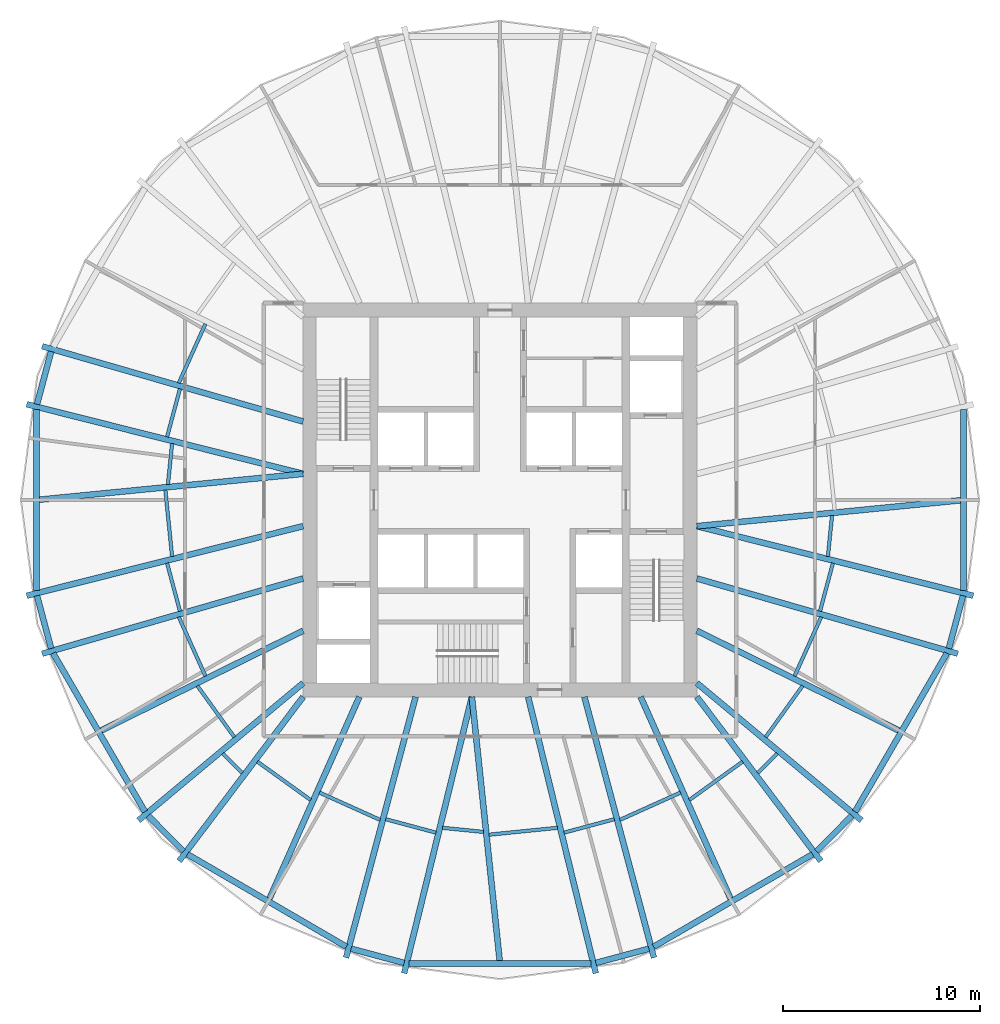
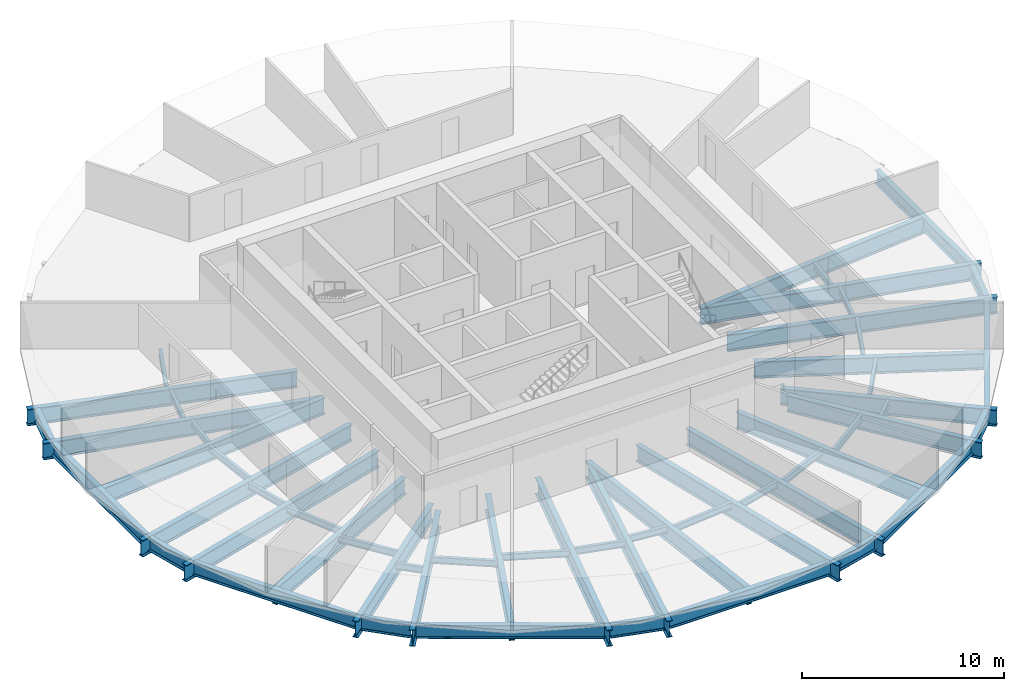
# One storey, part 1 of 6: 56 beams.
"""IFC4 building model written with IfcOpenShell, lengths in metres."""

import ifcopenshell
import ifcopenshell.guid

model = None  # the IFC model being written
_history = None  # IfcOwnerHistory: only IFC2X3 demands one
_inside = {}  # id of a spatial element -> (the spatial element, [elements in it])
_under = {}  # id of a project, library or spatial element -> (it, [spatial elements below it])
_declared = {}  # id of a project -> (the project, [libraries it declares])
_typed = {}  # id of a type object -> (the type object, [elements of that type])
_made_of = {}  # id of a material, layer set ... -> (it, [elements and type objects made of it])


def new_model(schema):
    """Start an empty IFC model of exactly this schema.

    Asked for "IFC4X3", IfcOpenShell would pick the latest addendum, in which some entities
    have other attributes; the version numbers below select the first issue.
    IFC2X3 requires an IfcOwnerHistory on every rooted entity: one is made here for all.
    """
    global model, _history
    if schema == "IFC4X3":
        model = ifcopenshell.file(schema_version=(4, 3, 0, 0))
    else:
        model = ifcopenshell.file(schema=schema)
    _inside.clear()
    _under.clear()
    _declared.clear()
    _typed.clear()
    _made_of.clear()
    _history = None
    if model.schema == "IFC2X3":
        org = make("IfcOrganization", Name="unknown")
        user = make(
            "IfcPersonAndOrganization",
            ThePerson=make("IfcPerson", FamilyName="unknown"),
            TheOrganization=org,
        )
        app = make(
            "IfcApplication",
            ApplicationDeveloper=org,
            Version="unknown",
            ApplicationFullName="unknown",
            ApplicationIdentifier="unknown",
        )
        _history = make(
            "IfcOwnerHistory",
            OwningUser=user,
            OwningApplication=app,
            ChangeAction="ADDED",
            CreationDate=0,
        )
    return model


def make(cls, **values):
    """One entity of the class cls with the attributes given. An attribute that is None is left unset."""
    return model.create_entity(
        cls, **{name: value for name, value in values.items() if value is not None}
    )


def rooted(cls, **values):
    """An entity with a GlobalId (a new one), such as an element, a storey or a relation."""
    return make(cls, GlobalId=ifcopenshell.guid.new(), OwnerHistory=_history, **values)


def si_unit(unit_type, name, prefix=None):
    """IfcSIUnit, for example si_unit("LENGTHUNIT", "METRE", prefix="MILLI")."""
    return make("IfcSIUnit", UnitType=unit_type, Prefix=prefix, Name=name)


def assignment(units):
    """IfcUnitAssignment: the units of a project."""
    return None if units is None else make("IfcUnitAssignment", Units=units)


def point(xyz):
    """IfcCartesianPoint."""
    return None if xyz is None else make("IfcCartesianPoint", Coordinates=xyz)


def direction(xyz):
    """IfcDirection."""
    return None if xyz is None else make("IfcDirection", DirectionRatios=xyz)


def frame(location, z_axis=None, x_axis=None):
    """IfcAxis2Placement3D, a coordinate frame: its origin and axes. An axis left out is left unset."""
    return make(
        "IfcAxis2Placement3D",
        Location=point(location),
        Axis=direction(z_axis),
        RefDirection=direction(x_axis),
    )


def frame_2d(location, x_axis=None):
    """IfcAxis2Placement2D, a coordinate frame in the plane: its origin and x axis."""
    return make(
        "IfcAxis2Placement2D", Location=point(location), RefDirection=direction(x_axis)
    )


def origin():
    """The frame at (0, 0, 0) with its axes left unset."""
    return frame((0.0, 0.0, 0.0))


def origin_2d():
    """The frame at (0, 0) in the plane with its x axis left unset."""
    return frame_2d((0.0, 0.0))


def place(relative_to, where):
    """IfcLocalPlacement: puts the frame where relative to a parent placement (None: the world)."""
    return make(
        "IfcLocalPlacement", PlacementRelTo=relative_to, RelativePlacement=where
    )


def context(
    kind, dimensions, precision=None, world=None, true_north=None, identifier=None
):
    """IfcGeometricRepresentationContext, for example the 3D "Model" context."""
    return make(
        "IfcGeometricRepresentationContext",
        ContextIdentifier=identifier,
        ContextType=kind,
        CoordinateSpaceDimension=dimensions,
        Precision=precision,
        WorldCoordinateSystem=world,
        TrueNorth=true_north,
    )


def subcontext(parent, identifier, kind, view, scale=None):
    """IfcGeometricRepresentationSubContext, for example "Body" below "Model"."""
    return make(
        "IfcGeometricRepresentationSubContext",
        ContextIdentifier=identifier,
        ContextType=kind,
        ParentContext=parent,
        TargetScale=scale,
        TargetView=view,
    )


def project(units=None, contexts=None):
    """IfcProject with its units and contexts."""
    return rooted(
        "IfcProject",
        Name="project",
        RepresentationContexts=contexts,
        UnitsInContext=assignment(units),
    )


def spatial(cls, under=None, at=None, **own):
    """A site, building, storey or space (cls), placed at a placement, below another one or the project."""
    s = rooted(cls, ObjectPlacement=at, **own)
    if under is not None:
        _under.setdefault(under.id(), (under, []))[1].append(s)
    return s


def profile(cls, at=None, kind="AREA", **sizes):
    """A parametric profile (cls). Its sizes go by their IFC names, for example OverallWidth=200.0."""
    return make(cls, ProfileType=kind, Position=at, **sizes)


def i_section(**sizes):
    """IfcIShapeProfileDef."""
    return profile("IfcIShapeProfileDef", **sizes)


def extrude(swept, where, along, depth):
    """IfcExtrudedAreaSolid: the profile swept, set in the frame where, extruded along a direction by depth."""
    return make(
        "IfcExtrudedAreaSolid",
        SweptArea=swept,
        Position=where,
        ExtrudedDirection=direction(along),
        Depth=depth,
    )


def shape(context_of_items, identifier, shape_type, items):
    """IfcShapeRepresentation: the items that make up one representation, for example the "Body"."""
    return make(
        "IfcShapeRepresentation",
        ContextOfItems=context_of_items,
        RepresentationIdentifier=identifier,
        RepresentationType=shape_type,
        Items=items,
    )


def material(Name=None, Category=None):
    """IfcMaterial."""
    return make("IfcMaterial", Name=Name, Category=Category)


def material_profile(
    of_material, cross_section, Name=None, Category=None, Priority=None
):
    """IfcMaterialProfile: a cross section and its material."""
    return make(
        "IfcMaterialProfile",
        Name=Name,
        Material=of_material,
        Profile=cross_section,
        Priority=Priority,
        Category=Category,
    )


def profile_set(profiles, Name=None, composite=None):
    """IfcMaterialProfileSet."""
    return make(
        "IfcMaterialProfileSet",
        Name=Name,
        MaterialProfiles=profiles,
        CompositeProfile=composite,
    )


def made_of(thing, what):
    """Note that an element or type object is made of a material, layer set ...; save() writes the relation."""
    if what is not None:
        _made_of.setdefault(what.id(), (what, []))[1].append(thing)
    return thing


def type_object(cls, material=None, **own):
    """A type object (cls), such as IfcWallType, which elements share."""
    return made_of(rooted(cls, **own), material)


def element(
    cls,
    number,
    at=None,
    inside=None,
    cuts=None,
    type_object=None,
    material=None,
    context=None,
    identifier="Body",
    shape_type=None,
    held_by="IfcProductDefinitionShape",
    body=None,
    shapes=None,
    **own,
):
    """One element of the class cls, such as IfcWall. Its Tag is "e" and its number.

    at: its placement. inside: the storey or other place that contains it. cuts: it is an
    opening in that element (IfcRelVoidsElement). A single representation is given by context,
    identifier, shape_type and body (its items); several are given by shapes. held_by: the class
    of the entity that holds the representations. save() writes the other relations.
    """
    e = rooted(cls, Tag="e%d" % number, ObjectPlacement=at, **own)
    if body is not None:
        shapes = [shape(context, identifier, shape_type, body)]
    if shapes is not None:
        e.Representation = make(held_by, Representations=shapes)
    if inside is not None:
        _inside.setdefault(inside.id(), (inside, []))[1].append(e)
    if cuts is not None:
        rooted(
            "IfcRelVoidsElement", RelatingBuildingElement=cuts, RelatedOpeningElement=e
        )
    if type_object is not None:
        _typed.setdefault(type_object.id(), (type_object, []))[1].append(e)
    return made_of(e, material)


def aggregate(whole, parts):
    """IfcRelAggregates: a whole, such as a stair, and the parts it consists of."""
    return rooted("IfcRelAggregates", RelatingObject=whole, RelatedObjects=parts)


def save(model, path):
    """Write the relations noted so far, then the file.

    IfcRelAggregates (storeys below a building ...), IfcRelContainedInSpatialStructure (elements
    in a storey), IfcRelDefinesByType, IfcRelAssociatesMaterial and IfcRelDeclares: one each for
    every whole, place, type object, material and project.
    """
    for whole, parts in _under.values():
        aggregate(whole, parts)
    for where, things in _inside.values():
        rooted(
            "IfcRelContainedInSpatialStructure",
            RelatedElements=things,
            RelatingStructure=where,
        )
    for kind, things in _typed.values():
        rooted("IfcRelDefinesByType", RelatedObjects=things, RelatingType=kind)
    for what, things in _made_of.values():
        rooted("IfcRelAssociatesMaterial", RelatedObjects=things, RelatingMaterial=what)
    for by, libraries in _declared.values():
        rooted("IfcRelDeclares", RelatingContext=by, RelatedDefinitions=libraries)
    model.write(path)


model = new_model("IFC4")

# Units and contexts
model_context = context("Model", 3, precision=1e-05, world=origin(), true_north=direction((0.0, 1.0)))
body_context = subcontext(model_context, "Body", "Model", "MODEL_VIEW")
ifc_project = project(units=[si_unit("LENGTHUNIT", "METRE"), si_unit("AREAUNIT", "SQUARE_METRE"), si_unit("VOLUMEUNIT", "CUBIC_METRE"), si_unit("PLANEANGLEUNIT", "RADIAN"), si_unit("MASSUNIT", "GRAM", prefix="KILO")], contexts=[model_context])

# Site, building, storey
site_placement = place(None, origin())
site = spatial("IfcSite", under=ifc_project, at=site_placement, CompositionType="ELEMENT")
building_placement = place(site_placement, origin())
building = spatial("IfcBuilding", under=site, at=building_placement, Name="Golbaran Civic Tower", CompositionType="ELEMENT")
storey_placement = place(building_placement, frame((0.0, 0.0, 98.0)))
storey = spatial("IfcBuildingStorey", under=building, at=storey_placement, Name="L23", CompositionType="ELEMENT", Elevation=98.0)

# Beams
ifc_material = material(Name="Steel S355", Category="steel")
ifc_material_profile_1 = material_profile(ifc_material, i_section(OverallWidth=0.300048828125, OverallDepth=0.800048828125, WebThickness=0.017578125, FlangeThickness=0.032958984375, FilletRadius=0.030029296875, at=origin_2d()), Name="HEB 800")
ifc_profile_set_1 = profile_set([ifc_material_profile_1], Name="Steel S355")
beam_type_1 = type_object("IfcBeamType", Name="EDGE BEAM HEB 800", PredefinedType="BEAM", material=ifc_profile_set_1)
beam_1_placement = place(storey_placement, frame((-22.799072265625, 7.541015625, -0.60009765625), z_axis=(-0.258775722197, -0.965937433585, 0.0), x_axis=(0.965937433585, -0.258775722197, 0.0)))
element("IfcBeam", 1, at=beam_1_placement, inside=storey, type_object=beam_type_1, Name="Edge beam 161.51 L23", PredefinedType="BEAM", context=body_context, shape_type="SweptSolid", body=[
    extrude(i_section(OverallWidth=0.300048828125, OverallDepth=0.800048828125, WebThickness=0.017578125, FlangeThickness=0.032958984375, FilletRadius=0.030029296875, at=origin_2d()), origin(), (0.0, 0.0, 1.0), 2.77099609375),
])
beam_2_placement = place(storey_placement, frame((-23.549560546875, 4.60498046875, -0.60009765625), z_axis=(0.0, -1.0, 0.0), x_axis=(1.0, 0.0, 0.0)))
element("IfcBeam", 2, at=beam_2_placement, inside=storey, type_object=beam_type_1, Name="Edge beam 168.49 L23", PredefinedType="BEAM", context=body_context, shape_type="SweptSolid", body=[
    extrude(i_section(OverallWidth=0.300048828125, OverallDepth=0.800048828125, WebThickness=0.017578125, FlangeThickness=0.032958984375, FilletRadius=0.030029296875, at=origin_2d()), origin(), (0.0, 0.0, 1.0), 9.2099609375),
])
beam_3_placement = place(storey_placement, frame((-23.51611328125, -4.864501953125, -0.60009765625), z_axis=(0.258775722197, -0.965937433585, 0.0), x_axis=(0.965937433585, 0.258775722197, 0.0)))
element("IfcBeam", 3, at=beam_3_placement, inside=storey, type_object=beam_type_1, Name="Edge beam 191.51 L23", PredefinedType="BEAM", context=body_context, shape_type="SweptSolid", body=[
    extrude(i_section(OverallWidth=0.300048828125, OverallDepth=0.800048828125, WebThickness=0.017578125, FlangeThickness=0.032958984375, FilletRadius=0.030029296875, at=origin_2d()), origin(), (0.0, 0.0, 1.0), 2.77099609375),
])
beam_4_placement = place(storey_placement, frame((-22.6982421875, -7.782470703125, -0.60009765625), z_axis=(0.501480043185, -0.865169212517, 0.0), x_axis=(0.865169212517, 0.501480043185, 0.0)))
element("IfcBeam", 4, at=beam_4_placement, inside=storey, type_object=beam_type_1, Name="Edge beam 198.49 L23", PredefinedType="BEAM", context=body_context, shape_type="SweptSolid", body=[
    extrude(i_section(OverallWidth=0.300048828125, OverallDepth=0.800048828125, WebThickness=0.017578125, FlangeThickness=0.032958984375, FilletRadius=0.030029296875, at=origin_2d()), origin(), (0.0, 0.0, 1.0), 9.302001953125),
])
beam_5_placement = place(storey_placement, frame((-17.875, -16.036865234375, -0.60009765625), z_axis=(0.706290067305, -0.707922552845, 0.0), x_axis=(0.707922552845, 0.706290067305, 0.0)))
element("IfcBeam", 5, at=beam_5_placement, inside=storey, type_object=beam_type_1, Name="Edge beam 221.51 L23", PredefinedType="BEAM", context=body_context, shape_type="SweptSolid", body=[
    extrude(i_section(OverallWidth=0.300048828125, OverallDepth=0.800048828125, WebThickness=0.017578125, FlangeThickness=0.032958984375, FilletRadius=0.030029296875, at=origin_2d()), origin(), (0.0, 0.0, 1.0), 2.54248046875),
])
beam_6_placement = place(storey_placement, frame((-15.87353515625, -17.995361328125, -0.60009765625), z_axis=(0.864324773313, -0.502934077427, 0.0), x_axis=(0.502934077427, 0.864324773313, 0.0)))
element("IfcBeam", 6, at=beam_6_placement, inside=storey, type_object=beam_type_1, Name="Edge beam 228.49 L23", PredefinedType="BEAM", context=body_context, shape_type="SweptSolid", body=[
    extrude(i_section(OverallWidth=0.300048828125, OverallDepth=0.800048828125, WebThickness=0.017578125, FlangeThickness=0.032958984375, FilletRadius=0.030029296875, at=origin_2d()), origin(), (0.0, 0.0, 1.0), 9.3349609375),
])
beam_7_placement = place(storey_placement, frame((-7.563232421875, -22.791748046875, -0.60009765625), z_axis=(0.965791478582, -0.259319918052, 0.0), x_axis=(0.259319918052, 0.965791478582, 0.0)))
element("IfcBeam", 7, at=beam_7_placement, inside=storey, type_object=beam_type_1, Name="Edge beam 251.51 L23", PredefinedType="BEAM", context=body_context, shape_type="SweptSolid", body=[
    extrude(i_section(OverallWidth=0.300048828125, OverallDepth=0.800048828125, WebThickness=0.017578125, FlangeThickness=0.032958984375, FilletRadius=0.030029296875, at=origin_2d()), origin(), (0.0, 0.0, 1.0), 2.78662109375),
])
beam_8_placement = place(storey_placement, frame((-4.612548828125, -23.548095703125, -0.60009765625), z_axis=(1.0, 0.0, 0.0), x_axis=(0.0, 1.0, 0.0)))
element("IfcBeam", 8, at=beam_8_placement, inside=storey, type_object=beam_type_1, Name="Edge beam 258.49 L23", PredefinedType="BEAM", context=body_context, shape_type="SweptSolid", body=[
    extrude(i_section(OverallWidth=0.300048828125, OverallDepth=0.800048828125, WebThickness=0.017578125, FlangeThickness=0.032958984375, FilletRadius=0.030029296875, at=origin_2d()), origin(), (0.0, 0.0, 1.0), 9.22509765625),
])
beam_9_placement = place(storey_placement, frame((4.871826171875, -23.514404296875, -0.60009765625), z_axis=(0.965791478582, 0.259319918052, 0.0), x_axis=(-0.259319918052, 0.965791478582, 0.0)))
element("IfcBeam", 9, at=beam_9_placement, inside=storey, type_object=beam_type_1, Name="Edge beam 281.51 L23", PredefinedType="BEAM", context=body_context, shape_type="SweptSolid", body=[
    extrude(i_section(OverallWidth=0.300048828125, OverallDepth=0.800048828125, WebThickness=0.017578125, FlangeThickness=0.032958984375, FilletRadius=0.030029296875, at=origin_2d()), origin(), (0.0, 0.0, 1.0), 2.78662109375),
])
beam_10_placement = place(storey_placement, frame((7.80517578125, -22.690185546875, -0.60009765625), z_axis=(0.864324773313, 0.502934077427, 0.0), x_axis=(-0.502934077427, 0.864324773313, 0.0)))
element("IfcBeam", 10, at=beam_10_placement, inside=storey, type_object=beam_type_1, Name="Edge beam 288.49 L23", PredefinedType="BEAM", context=body_context, shape_type="SweptSolid", body=[
    extrude(i_section(OverallWidth=0.300048828125, OverallDepth=0.800048828125, WebThickness=0.017578125, FlangeThickness=0.032958984375, FilletRadius=0.030029296875, at=origin_2d()), origin(), (0.0, 0.0, 1.0), 9.3349609375),
])
beam_11_placement = place(storey_placement, frame((16.079345703125, -17.836669921875, -0.60009765625), z_axis=(0.706290067305, 0.707922552845, 0.0), x_axis=(-0.707922552845, 0.706290067305, 0.0)))
element("IfcBeam", 11, at=beam_11_placement, inside=storey, type_object=beam_type_1, Name="Edge beam 311.51 L23", PredefinedType="BEAM", context=body_context, shape_type="SweptSolid", body=[
    extrude(i_section(OverallWidth=0.300048828125, OverallDepth=0.800048828125, WebThickness=0.017578125, FlangeThickness=0.032958984375, FilletRadius=0.030029296875, at=origin_2d()), origin(), (0.0, 0.0, 1.0), 2.54248046875),
])
beam_12_placement = place(storey_placement, frame((18.033447265625, -15.830322265625, -0.60009765625), z_axis=(0.501480043185, 0.865169212517, 0.0), x_axis=(-0.865169212517, 0.501480043185, 0.0)))
element("IfcBeam", 12, at=beam_12_placement, inside=storey, type_object=beam_type_1, Name="Edge beam 318.49 L23", PredefinedType="BEAM", context=body_context, shape_type="SweptSolid", body=[
    extrude(i_section(OverallWidth=0.300048828125, OverallDepth=0.800048828125, WebThickness=0.017578125, FlangeThickness=0.032958984375, FilletRadius=0.030029296875, at=origin_2d()), origin(), (0.0, 0.0, 1.0), 9.302001953125),
])
beam_13_placement = place(storey_placement, frame((22.799072265625, -7.541015625, -0.60009765625), z_axis=(0.258775722197, 0.965937433585, 0.0), x_axis=(-0.965937433585, 0.258775722197, 0.0)))
element("IfcBeam", 13, at=beam_13_placement, inside=storey, type_object=beam_type_1, Name="Edge beam 341.51 L23", PredefinedType="BEAM", context=body_context, shape_type="SweptSolid", body=[
    extrude(i_section(OverallWidth=0.300048828125, OverallDepth=0.800048828125, WebThickness=0.017578125, FlangeThickness=0.032958984375, FilletRadius=0.030029296875, at=origin_2d()), origin(), (0.0, 0.0, 1.0), 2.77099609375),
])
beam_14_placement = place(storey_placement, frame((23.549560546875, -4.60498046875, -0.60009765625), z_axis=(0.0, 1.0, 0.0), x_axis=(-1.0, 0.0, 0.0)))
element("IfcBeam", 14, at=beam_14_placement, inside=storey, type_object=beam_type_1, Name="Edge beam 348.49 L23", PredefinedType="BEAM", context=body_context, shape_type="SweptSolid", body=[
    extrude(i_section(OverallWidth=0.300048828125, OverallDepth=0.800048828125, WebThickness=0.017578125, FlangeThickness=0.032958984375, FilletRadius=0.030029296875, at=origin_2d()), origin(), (0.0, 0.0, 1.0), 9.2099609375),
])
ifc_material_profile_2 = material_profile(ifc_material, i_section(OverallWidth=0.179931640625, OverallDepth=0.39990234375, WebThickness=0.008544921875, FlangeThickness=0.013427734375, FilletRadius=0.02099609375, at=origin_2d()), Name="IPE 400")
ifc_profile_set_2 = profile_set([ifc_material_profile_2], Name="Steel S355")
beam_type_2 = type_object("IfcBeamType", Name="FLOOR INFILL BEAM IPE 400", PredefinedType="BEAM", material=ifc_profile_set_2)
beam_15_placement = place(storey_placement, frame((-14.961181640625, 8.947021484375, -0.39990234375), z_axis=(-0.410669576854, -0.911784239087, 0.0), x_axis=(0.911784239087, -0.410669576854, 0.0)))
element("IfcBeam", 15, at=beam_15_placement, inside=storey, type_object=beam_type_2, Name="Infill beam 155.75 L23", PredefinedType="BEAM", context=body_context, shape_type="SweptSolid", body=[
    extrude(i_section(OverallWidth=0.179931640625, OverallDepth=0.39990234375, WebThickness=0.008544921875, FlangeThickness=0.013427734375, FilletRadius=0.02099609375, at=origin_2d()), origin(), (0.0, 0.0, 1.0), 3.2958984375),
])
beam_16_placement = place(storey_placement, frame((-16.25390625, 5.65380859375, -0.39990234375), z_axis=(-0.258841858972, -0.965919713042, 0.0), x_axis=(0.965919713042, -0.258841858972, 0.0)))
element("IfcBeam", 16, at=beam_16_placement, inside=storey, type_object=beam_type_2, Name="Infill beam 165.00 L23", PredefinedType="BEAM", context=body_context, shape_type="SweptSolid", body=[
    extrude(i_section(OverallWidth=0.179931640625, OverallDepth=0.39990234375, WebThickness=0.008544921875, FlangeThickness=0.013427734375, FilletRadius=0.02099609375, at=origin_2d()), origin(), (0.0, 0.0, 1.0), 2.5380859375),
])
beam_17_placement = place(storey_placement, frame((-16.656005859375, 2.869873046875, -0.39990234375), z_axis=(-0.100242294747, -0.994963055768, 0.0), x_axis=(0.994963055768, -0.100242294747, 0.0)))
element("IfcBeam", 17, at=beam_17_placement, inside=storey, type_object=beam_type_2, Name="Infill beam 174.25 L23", PredefinedType="BEAM", context=body_context, shape_type="SweptSolid", body=[
    extrude(i_section(OverallWidth=0.179931640625, OverallDepth=0.39990234375, WebThickness=0.008544921875, FlangeThickness=0.013427734375, FilletRadius=0.02099609375, at=origin_2d()), origin(), (0.0, 0.0, 1.0), 2.094482421875),
])
beam_18_placement = place(storey_placement, frame((-16.99658203125, 0.511962890625, -0.39990234375), z_axis=(0.100200643623, -0.994967251229, 0.0), x_axis=(0.994967251229, 0.100200643623, 0.0)))
element("IfcBeam", 18, at=beam_18_placement, inside=storey, type_object=beam_type_2, Name="Infill beam 185.75 L23", PredefinedType="BEAM", context=body_context, shape_type="SweptSolid", body=[
    extrude(i_section(OverallWidth=0.179931640625, OverallDepth=0.39990234375, WebThickness=0.008544921875, FlangeThickness=0.013427734375, FilletRadius=0.02099609375, at=origin_2d()), origin(), (0.0, 0.0, 1.0), 3.39892578125),
])
beam_19_placement = place(storey_placement, frame((-16.910888671875, -3.2021484375, -0.39990234375), z_axis=(0.258841858972, -0.965919713042, 0.0), x_axis=(0.965919713042, 0.258841858972, 0.0)))
element("IfcBeam", 19, at=beam_19_placement, inside=storey, type_object=beam_type_2, Name="Infill beam 195.00 L23", PredefinedType="BEAM", context=body_context, shape_type="SweptSolid", body=[
    extrude(i_section(OverallWidth=0.179931640625, OverallDepth=0.39990234375, WebThickness=0.008544921875, FlangeThickness=0.013427734375, FilletRadius=0.02099609375, at=origin_2d()), origin(), (0.0, 0.0, 1.0), 2.5380859375),
])
beam_20_placement = place(storey_placement, frame((-16.314697265625, -5.94189453125, -0.39990234375), z_axis=(0.410669576854, -0.911784239087, 0.0), x_axis=(0.911784239087, 0.410669576854, 0.0)))
element("IfcBeam", 20, at=beam_20_placement, inside=storey, type_object=beam_type_2, Name="Infill beam 204.25 L23", PredefinedType="BEAM", context=body_context, shape_type="SweptSolid", body=[
    extrude(i_section(OverallWidth=0.179931640625, OverallDepth=0.39990234375, WebThickness=0.008544921875, FlangeThickness=0.013427734375, FilletRadius=0.02099609375, at=origin_2d()), origin(), (0.0, 0.0, 1.0), 3.2958984375),
])
beam_21_placement = place(storey_placement, frame((-15.370361328125, -9.43896484375, -0.39990234375), z_axis=(0.58429070547, -0.811544435938, 0.0), x_axis=(0.811544435938, 0.58429070547, 0.0)))
element("IfcBeam", 21, at=beam_21_placement, inside=storey, type_object=beam_type_2, Name="Infill beam 215.75 L23", PredefinedType="BEAM", context=body_context, shape_type="SweptSolid", body=[
    extrude(i_section(OverallWidth=0.179931640625, OverallDepth=0.39990234375, WebThickness=0.008544921875, FlangeThickness=0.013427734375, FilletRadius=0.02099609375, at=origin_2d()), origin(), (0.0, 0.0, 1.0), 3.211181640625),
])
beam_22_placement = place(storey_placement, frame((-14.082763671875, -12.874267578125, -0.39990234375), z_axis=(0.707106781187, -0.707106781187, 0.0), x_axis=(0.707106781187, 0.707106781187, 0.0)))
element("IfcBeam", 22, at=beam_22_placement, inside=storey, type_object=beam_type_2, Name="Infill beam 225.00 L23", PredefinedType="BEAM", context=body_context, shape_type="SweptSolid", body=[
    extrude(i_section(OverallWidth=0.179931640625, OverallDepth=0.39990234375, WebThickness=0.008544921875, FlangeThickness=0.013427734375, FilletRadius=0.02099609375, at=origin_2d()), origin(), (0.0, 0.0, 1.0), 1.41015625),
])
beam_23_placement = place(storey_placement, frame((-12.321533203125, -13.290771484375, -0.39990234375), z_axis=(0.811553802951, -0.584277695035, 0.0), x_axis=(0.584277695035, 0.811553802951, 0.0)))
element("IfcBeam", 23, at=beam_23_placement, inside=storey, type_object=beam_type_2, Name="Infill beam 234.25 L23", PredefinedType="BEAM", context=body_context, shape_type="SweptSolid", body=[
    extrude(i_section(OverallWidth=0.179931640625, OverallDepth=0.39990234375, WebThickness=0.008544921875, FlangeThickness=0.013427734375, FilletRadius=0.02099609375, at=origin_2d()), origin(), (0.0, 0.0, 1.0), 3.3310546875),
])
beam_24_placement = place(storey_placement, frame((-9.166748046875, -14.862548828125, -0.39990234375), z_axis=(0.911755065094, -0.41073434392, 0.0), x_axis=(0.41073434392, 0.911755065094, 0.0)))
element("IfcBeam", 24, at=beam_24_placement, inside=storey, type_object=beam_type_2, Name="Infill beam 245.75 L23", PredefinedType="BEAM", context=body_context, shape_type="SweptSolid", body=[
    extrude(i_section(OverallWidth=0.179931640625, OverallDepth=0.39990234375, WebThickness=0.008544921875, FlangeThickness=0.013427734375, FilletRadius=0.02099609375, at=origin_2d()), origin(), (0.0, 0.0, 1.0), 3.37744140625),
])
beam_25_placement = place(storey_placement, frame((-5.808349609375, -16.212158203125, -0.39990234375), z_axis=(0.965931172976, -0.258799090172, 0.0), x_axis=(0.258799090172, 0.965931172976, 0.0)))
element("IfcBeam", 25, at=beam_25_placement, inside=storey, type_object=beam_type_2, Name="Infill beam 255.00 L23", PredefinedType="BEAM", context=body_context, shape_type="SweptSolid", body=[
    extrude(i_section(OverallWidth=0.179931640625, OverallDepth=0.39990234375, WebThickness=0.008544921875, FlangeThickness=0.013427734375, FilletRadius=0.02099609375, at=origin_2d()), origin(), (0.0, 0.0, 1.0), 2.64697265625),
])
beam_26_placement = place(storey_placement, frame((-2.923095703125, -16.64990234375, -0.39990234375), z_axis=(0.994966650619, -0.100206607344, 0.0), x_axis=(0.100206607344, 0.994966650619, 0.0)))
element("IfcBeam", 26, at=beam_26_placement, inside=storey, type_object=beam_type_2, Name="Infill beam 264.25 L23", PredefinedType="BEAM", context=body_context, shape_type="SweptSolid", body=[
    extrude(i_section(OverallWidth=0.179931640625, OverallDepth=0.39990234375, WebThickness=0.008544921875, FlangeThickness=0.013427734375, FilletRadius=0.02099609375, at=origin_2d()), origin(), (0.0, 0.0, 1.0), 2.09765625),
])
beam_27_placement = place(storey_placement, frame((-0.5595703125, -17.000732421875, -0.39990234375), z_axis=(0.99496441504, 0.100228802272, 0.0), x_axis=(-0.100228802272, 0.99496441504, 0.0)))
element("IfcBeam", 27, at=beam_27_placement, inside=storey, type_object=beam_type_2, Name="Infill beam 275.75 L23", PredefinedType="BEAM", context=body_context, shape_type="SweptSolid", body=[
    extrude(i_section(OverallWidth=0.179931640625, OverallDepth=0.39990234375, WebThickness=0.008544921875, FlangeThickness=0.013427734375, FilletRadius=0.02099609375, at=origin_2d()), origin(), (0.0, 0.0, 1.0), 3.500244140625),
])
beam_28_placement = place(storey_placement, frame((3.25146484375, -16.897216796875, -0.39990234375), z_axis=(0.965931172976, 0.258799090172, 0.0), x_axis=(-0.258799090172, 0.965931172976, 0.0)))
element("IfcBeam", 28, at=beam_28_placement, inside=storey, type_object=beam_type_2, Name="Infill beam 285.00 L23", PredefinedType="BEAM", context=body_context, shape_type="SweptSolid", body=[
    extrude(i_section(OverallWidth=0.179931640625, OverallDepth=0.39990234375, WebThickness=0.008544921875, FlangeThickness=0.013427734375, FilletRadius=0.02099609375, at=origin_2d()), origin(), (0.0, 0.0, 1.0), 2.64697265625),
])
beam_29_placement = place(storey_placement, frame((6.08740234375, -16.249755859375, -0.39990234375), z_axis=(0.911755065094, 0.41073434392, 0.0), x_axis=(-0.41073434392, 0.911755065094, 0.0)))
element("IfcBeam", 29, at=beam_29_placement, inside=storey, type_object=beam_type_2, Name="Infill beam 294.25 L23", PredefinedType="BEAM", context=body_context, shape_type="SweptSolid", body=[
    extrude(i_section(OverallWidth=0.179931640625, OverallDepth=0.39990234375, WebThickness=0.008544921875, FlangeThickness=0.013427734375, FilletRadius=0.02099609375, at=origin_2d()), origin(), (0.0, 0.0, 1.0), 3.37744140625),
])
beam_30_placement = place(storey_placement, frame((9.6181640625, -15.237060546875, -0.39990234375), z_axis=(0.811553802951, 0.584277695035, 0.0), x_axis=(-0.584277695035, 0.811553802951, 0.0)))
element("IfcBeam", 30, at=beam_30_placement, inside=storey, type_object=beam_type_2, Name="Infill beam 305.75 L23", PredefinedType="BEAM", context=body_context, shape_type="SweptSolid", body=[
    extrude(i_section(OverallWidth=0.179931640625, OverallDepth=0.39990234375, WebThickness=0.008544921875, FlangeThickness=0.013427734375, FilletRadius=0.02099609375, at=origin_2d()), origin(), (0.0, 0.0, 1.0), 3.3310546875),
])
beam_31_placement = place(storey_placement, frame((13.085693359375, -13.871337890625, -0.39990234375), z_axis=(0.707106781187, 0.707106781187, 0.0), x_axis=(-0.707106781187, 0.707106781187, 0.0)))
element("IfcBeam", 31, at=beam_31_placement, inside=storey, type_object=beam_type_2, Name="Infill beam 315.00 L23", PredefinedType="BEAM", context=body_context, shape_type="SweptSolid", body=[
    extrude(i_section(OverallWidth=0.179931640625, OverallDepth=0.39990234375, WebThickness=0.008544921875, FlangeThickness=0.013427734375, FilletRadius=0.02099609375, at=origin_2d()), origin(), (0.0, 0.0, 1.0), 1.41015625),
])
beam_32_placement = place(storey_placement, frame((13.494140625, -12.044921875, -0.39990234375), z_axis=(0.58429070547, 0.811544435938, 0.0), x_axis=(-0.811544435938, 0.58429070547, 0.0)))
element("IfcBeam", 32, at=beam_32_placement, inside=storey, type_object=beam_type_2, Name="Infill beam 324.25 L23", PredefinedType="BEAM", context=body_context, shape_type="SweptSolid", body=[
    extrude(i_section(OverallWidth=0.179931640625, OverallDepth=0.39990234375, WebThickness=0.008544921875, FlangeThickness=0.013427734375, FilletRadius=0.02099609375, at=origin_2d()), origin(), (0.0, 0.0, 1.0), 3.211181640625),
])
beam_33_placement = place(storey_placement, frame((14.961181640625, -8.947021484375, -0.39990234375), z_axis=(0.410669576854, 0.911784239087, 0.0), x_axis=(-0.911784239087, 0.410669576854, 0.0)))
element("IfcBeam", 33, at=beam_33_placement, inside=storey, type_object=beam_type_2, Name="Infill beam 335.75 L23", PredefinedType="BEAM", context=body_context, shape_type="SweptSolid", body=[
    extrude(i_section(OverallWidth=0.179931640625, OverallDepth=0.39990234375, WebThickness=0.008544921875, FlangeThickness=0.013427734375, FilletRadius=0.02099609375, at=origin_2d()), origin(), (0.0, 0.0, 1.0), 3.2958984375),
])
beam_34_placement = place(storey_placement, frame((16.25390625, -5.65380859375, -0.39990234375), z_axis=(0.258841858972, 0.965919713042, 0.0), x_axis=(-0.965919713042, 0.258841858972, 0.0)))
element("IfcBeam", 34, at=beam_34_placement, inside=storey, type_object=beam_type_2, Name="Infill beam 345.00 L23", PredefinedType="BEAM", context=body_context, shape_type="SweptSolid", body=[
    extrude(i_section(OverallWidth=0.179931640625, OverallDepth=0.39990234375, WebThickness=0.008544921875, FlangeThickness=0.013427734375, FilletRadius=0.02099609375, at=origin_2d()), origin(), (0.0, 0.0, 1.0), 2.5380859375),
])
beam_35_placement = place(storey_placement, frame((16.656005859375, -2.869873046875, -0.39990234375), z_axis=(0.100242294747, 0.994963055768, 0.0), x_axis=(-0.994963055768, 0.100242294747, 0.0)))
element("IfcBeam", 35, at=beam_35_placement, inside=storey, type_object=beam_type_2, Name="Infill beam 354.25 L23", PredefinedType="BEAM", context=body_context, shape_type="SweptSolid", body=[
    extrude(i_section(OverallWidth=0.179931640625, OverallDepth=0.39990234375, WebThickness=0.008544921875, FlangeThickness=0.013427734375, FilletRadius=0.02099609375, at=origin_2d()), origin(), (0.0, 0.0, 1.0), 2.094482421875),
])
ifc_material_profile_3 = material_profile(ifc_material, i_section(OverallWidth=0.300048828125, OverallDepth=1.0, WebThickness=0.01904296875, FlangeThickness=0.035888671875, FilletRadius=0.030029296875, at=origin_2d()), Name="HEB 1000")
ifc_profile_set_3 = profile_set([ifc_material_profile_3], Name="Steel S355")
beam_type_3 = type_object("IfcBeamType", Name="RADIAL FLOOR BEAM HEB 1000", PredefinedType="BEAM", material=ifc_profile_set_3)
beam_36_placement = place(storey_placement, frame((-10.0, 3.985595703125, -0.7099609375), z_axis=(-0.960849871715, 0.277069529226, 0.0), x_axis=(-0.277069529226, -0.960849871715, 0.0)))
element("IfcBeam", 36, at=beam_36_placement, inside=storey, type_object=beam_type_3, Name="Radial beam 161.51 L23", PredefinedType="BEAM", context=body_context, shape_type="SweptSolid", body=[
    extrude(i_section(OverallWidth=0.300048828125, OverallDepth=1.0, WebThickness=0.01904296875, FlangeThickness=0.035888671875, FilletRadius=0.030029296875, at=origin_2d()), origin(), (0.0, 0.0, 1.0), 13.79443359375),
])
for number, where, z_axis, x_axis, name in (
    (37, (-10.0, 1.32861328125, -0.7099609375), (-0.96975249602, 0.244090344878, 0.0), (-0.244090344878, -0.96975249602, 0.0), "Radial beam 168.49 L23"),
    (38, (-10.0, -1.32861328125, -0.7099609375), (-0.96975249602, -0.244090344878, 0.0), (0.244090344878, -0.96975249602, 0.0), "Radial beam 191.51 L23"),
):
    element("IfcBeam", number, at=place(storey_placement, frame(where, z_axis=z_axis, x_axis=x_axis)), inside=storey, type_object=beam_type_3, Name=name, PredefinedType="BEAM", context=body_context, shape_type="SweptSolid", body=[
        extrude(i_section(OverallWidth=0.300048828125, OverallDepth=1.0, WebThickness=0.01904296875, FlangeThickness=0.035888671875, FilletRadius=0.030029296875, at=origin_2d()), origin(), (0.0, 0.0, 1.0), 14.48095703125),
    ])
beam_37_placement = place(storey_placement, frame((-10.0, -3.985595703125, -0.7099609375), z_axis=(-0.960849871715, -0.277069529226, 0.0), x_axis=(0.277069529226, -0.960849871715, 0.0)))
element("IfcBeam", 39, at=beam_37_placement, inside=storey, type_object=beam_type_3, Name="Radial beam 198.49 L23", PredefinedType="BEAM", context=body_context, shape_type="SweptSolid", body=[
    extrude(i_section(OverallWidth=0.300048828125, OverallDepth=1.0, WebThickness=0.01904296875, FlangeThickness=0.035888671875, FilletRadius=0.030029296875, at=origin_2d()), origin(), (0.0, 0.0, 1.0), 13.79443359375),
])
beam_38_placement = place(storey_placement, frame((-10.0, -9.300048828125, -0.7099609375), z_axis=(-0.767989633432, -0.640462272847, 0.0), x_axis=(0.640462272847, -0.767989633432, 0.0)))
element("IfcBeam", 40, at=beam_38_placement, inside=storey, type_object=beam_type_3, Name="Radial beam 221.51 L23", PredefinedType="BEAM", context=body_context, shape_type="SweptSolid", body=[
    extrude(i_section(OverallWidth=0.300048828125, OverallDepth=1.0, WebThickness=0.01904296875, FlangeThickness=0.035888671875, FilletRadius=0.030029296875, at=origin_2d()), origin(), (0.0, 0.0, 1.0), 10.88720703125),
])
beam_39_placement = place(storey_placement, frame((-10.0, -10.0, -0.7099609375), z_axis=(-0.602538007305, -0.798090188985, 0.0), x_axis=(0.798090188985, -0.602538007305, 0.0)))
element("IfcBeam", 41, at=beam_39_placement, inside=storey, type_object=beam_type_3, Name="Radial beam 228.49 L23", PredefinedType="BEAM", context=body_context, shape_type="SweptSolid", body=[
    extrude(i_section(OverallWidth=0.300048828125, OverallDepth=1.0, WebThickness=0.01904296875, FlangeThickness=0.035888671875, FilletRadius=0.030029296875, at=origin_2d()), origin(), (0.0, 0.0, 1.0), 10.453369140625),
])
beam_40_placement = place(storey_placement, frame((-4.28564453125, -10.0, -0.7099609375), z_axis=(-0.25773800494, -0.966214841953, 0.0), x_axis=(0.966214841953, -0.25773800494, 0.0)))
element("IfcBeam", 42, at=beam_40_placement, inside=storey, type_object=beam_type_3, Name="Radial beam 251.51 L23", PredefinedType="BEAM", context=body_context, shape_type="SweptSolid", body=[
    extrude(i_section(OverallWidth=0.300048828125, OverallDepth=1.0, WebThickness=0.01904296875, FlangeThickness=0.035888671875, FilletRadius=0.030029296875, at=origin_2d()), origin(), (0.0, 0.0, 1.0), 13.71240234375),
])
for number, where, z_axis, x_axis, name in (
    (43, (-1.428466796875, -10.0, -0.7099609375), (-0.23786807912, -0.971297470879, 0.0), (0.971297470879, -0.23786807912, 0.0), "Radial beam 258.49 L23"),
    (44, (1.428466796875, -10.0, -0.7099609375), (0.23786807912, -0.971297470879, 0.0), (0.971297470879, 0.23786807912, 0.0), "Radial beam 281.51 L23"),
):
    element("IfcBeam", number, at=place(storey_placement, frame(where, z_axis=z_axis, x_axis=x_axis)), inside=storey, type_object=beam_type_3, Name=name, PredefinedType="BEAM", context=body_context, shape_type="SweptSolid", body=[
        extrude(i_section(OverallWidth=0.300048828125, OverallDepth=1.0, WebThickness=0.01904296875, FlangeThickness=0.035888671875, FilletRadius=0.030029296875, at=origin_2d()), origin(), (0.0, 0.0, 1.0), 14.45751953125),
    ])
beam_41_placement = place(storey_placement, frame((4.28564453125, -10.0, -0.7099609375), z_axis=(0.25773800494, -0.966214841953, 0.0), x_axis=(0.966214841953, 0.25773800494, 0.0)))
element("IfcBeam", 45, at=beam_41_placement, inside=storey, type_object=beam_type_3, Name="Radial beam 288.49 L23", PredefinedType="BEAM", context=body_context, shape_type="SweptSolid", body=[
    extrude(i_section(OverallWidth=0.300048828125, OverallDepth=1.0, WebThickness=0.01904296875, FlangeThickness=0.035888671875, FilletRadius=0.030029296875, at=origin_2d()), origin(), (0.0, 0.0, 1.0), 13.71240234375),
])
beam_42_placement = place(storey_placement, frame((10.0, -10.0, -0.7099609375), z_axis=(0.602538007305, -0.798090188985, 0.0), x_axis=(0.798090188985, 0.602538007305, 0.0)))
element("IfcBeam", 46, at=beam_42_placement, inside=storey, type_object=beam_type_3, Name="Radial beam 311.51 L23", PredefinedType="BEAM", context=body_context, shape_type="SweptSolid", body=[
    extrude(i_section(OverallWidth=0.300048828125, OverallDepth=1.0, WebThickness=0.01904296875, FlangeThickness=0.035888671875, FilletRadius=0.030029296875, at=origin_2d()), origin(), (0.0, 0.0, 1.0), 10.453369140625),
])
beam_43_placement = place(storey_placement, frame((10.0, -9.300048828125, -0.7099609375), z_axis=(0.767989633432, -0.640462272847, 0.0), x_axis=(0.640462272847, 0.767989633432, 0.0)))
element("IfcBeam", 47, at=beam_43_placement, inside=storey, type_object=beam_type_3, Name="Radial beam 318.49 L23", PredefinedType="BEAM", context=body_context, shape_type="SweptSolid", body=[
    extrude(i_section(OverallWidth=0.300048828125, OverallDepth=1.0, WebThickness=0.01904296875, FlangeThickness=0.035888671875, FilletRadius=0.030029296875, at=origin_2d()), origin(), (0.0, 0.0, 1.0), 10.88720703125),
])
beam_44_placement = place(storey_placement, frame((10.0, -3.985595703125, -0.7099609375), z_axis=(0.960849871715, -0.277069529226, 0.0), x_axis=(0.277069529226, 0.960849871715, 0.0)))
element("IfcBeam", 48, at=beam_44_placement, inside=storey, type_object=beam_type_3, Name="Radial beam 341.51 L23", PredefinedType="BEAM", context=body_context, shape_type="SweptSolid", body=[
    extrude(i_section(OverallWidth=0.300048828125, OverallDepth=1.0, WebThickness=0.01904296875, FlangeThickness=0.035888671875, FilletRadius=0.030029296875, at=origin_2d()), origin(), (0.0, 0.0, 1.0), 13.79443359375),
])
beam_45_placement = place(storey_placement, frame((10.0, -1.32861328125, -0.7099609375), z_axis=(0.96975249602, -0.244090344878, 0.0), x_axis=(0.244090344878, 0.96975249602, 0.0)))
element("IfcBeam", 49, at=beam_45_placement, inside=storey, type_object=beam_type_3, Name="Radial beam 348.49 L23", PredefinedType="BEAM", context=body_context, shape_type="SweptSolid", body=[
    extrude(i_section(OverallWidth=0.300048828125, OverallDepth=1.0, WebThickness=0.01904296875, FlangeThickness=0.035888671875, FilletRadius=0.030029296875, at=origin_2d()), origin(), (0.0, 0.0, 1.0), 14.48095703125),
])
ifc_material_profile_4 = material_profile(ifc_material, i_section(OverallWidth=0.300048828125, OverallDepth=1.0, WebThickness=0.01904296875, FlangeThickness=0.035888671875, FilletRadius=0.030029296875, at=origin_2d()), Name="HEB 1000")
ifc_profile_set_4 = profile_set([ifc_material_profile_4], Name="Steel S355")
beam_type_4 = type_object("IfcBeamType", Name="SECONDARY FLOOR BEAM HEB 1000", PredefinedType="BEAM", material=ifc_profile_set_4)
for number, where, z_axis, x_axis, name in (
    (50, (10.0, -1.32861328125, -0.7099609375), (0.995226920225, 0.09758779257, 0.0), (-0.09758779257, 0.995226920225, 0.0), "Secondary beam 0.00 L23"),
    (51, (-10.0, 1.32861328125, -0.7099609375), (-0.995226920225, -0.09758779257, 0.0), (0.09758779257, -0.995226920225, 0.0), "Secondary beam 180.00 L23"),
):
    element("IfcBeam", number, at=place(storey_placement, frame(where, z_axis=z_axis, x_axis=x_axis)), inside=storey, type_object=beam_type_4, Name=name, PredefinedType="BEAM", context=body_context, shape_type="SweptSolid", body=[
        extrude(i_section(OverallWidth=0.300048828125, OverallDepth=1.0, WebThickness=0.01904296875, FlangeThickness=0.035888671875, FilletRadius=0.030029296875, at=origin_2d()), origin(), (0.0, 0.0, 1.0), 13.614501953125),
    ])
beam_46_placement = place(storey_placement, frame((-10.0, -6.642822265625, -0.7099609375), z_axis=(-0.896691900412, -0.442655210898, 0.0), x_axis=(0.442655210898, -0.896691900412, 0.0)))
element("IfcBeam", 52, at=beam_46_placement, inside=storey, type_object=beam_type_4, Name="Secondary beam 210.00 L23", PredefinedType="BEAM", context=body_context, shape_type="SweptSolid", body=[
    extrude(i_section(OverallWidth=0.300048828125, OverallDepth=1.0, WebThickness=0.01904296875, FlangeThickness=0.035888671875, FilletRadius=0.030029296875, at=origin_2d()), origin(), (0.0, 0.0, 1.0), 11.58349609375),
])
beam_47_placement = place(storey_placement, frame((-7.142822265625, -10.0, -0.7099609375), z_axis=(-0.406935374898, -0.913456950631, 0.0), x_axis=(0.913456950631, -0.406935374898, 0.0)))
element("IfcBeam", 53, at=beam_47_placement, inside=storey, type_object=beam_type_4, Name="Secondary beam 240.00 L23", PredefinedType="BEAM", context=body_context, shape_type="SweptSolid", body=[
    extrude(i_section(OverallWidth=0.300048828125, OverallDepth=1.0, WebThickness=0.01904296875, FlangeThickness=0.035888671875, FilletRadius=0.030029296875, at=origin_2d()), origin(), (0.0, 0.0, 1.0), 11.367919921875),
])
beam_48_placement = place(storey_placement, frame((-1.428466796875, -10.0, -0.7099609375), z_axis=(0.104855498469, -0.994487468217, 0.0), x_axis=(0.994487468217, 0.104855498469, 0.0)))
element("IfcBeam", 54, at=beam_48_placement, inside=storey, type_object=beam_type_4, Name="Secondary beam 270.00 L23", PredefinedType="BEAM", context=body_context, shape_type="SweptSolid", body=[
    extrude(i_section(OverallWidth=0.300048828125, OverallDepth=1.0, WebThickness=0.01904296875, FlangeThickness=0.035888671875, FilletRadius=0.030029296875, at=origin_2d()), origin(), (0.0, 0.0, 1.0), 13.623291015625),
])
beam_49_placement = place(storey_placement, frame((7.142822265625, -10.0, -0.7099609375), z_axis=(0.406935374898, -0.913456950631, 0.0), x_axis=(0.913456950631, 0.406935374898, 0.0)))
element("IfcBeam", 55, at=beam_49_placement, inside=storey, type_object=beam_type_4, Name="Secondary beam 300.00 L23", PredefinedType="BEAM", context=body_context, shape_type="SweptSolid", body=[
    extrude(i_section(OverallWidth=0.300048828125, OverallDepth=1.0, WebThickness=0.01904296875, FlangeThickness=0.035888671875, FilletRadius=0.030029296875, at=origin_2d()), origin(), (0.0, 0.0, 1.0), 11.367919921875),
])
beam_50_placement = place(storey_placement, frame((10.0, -6.642822265625, -0.7099609375), z_axis=(0.896691900412, -0.442655210898, 0.0), x_axis=(0.442655210898, 0.896691900412, 0.0)))
element("IfcBeam", 56, at=beam_50_placement, inside=storey, type_object=beam_type_4, Name="Secondary beam 330.00 L23", PredefinedType="BEAM", context=body_context, shape_type="SweptSolid", body=[
    extrude(i_section(OverallWidth=0.300048828125, OverallDepth=1.0, WebThickness=0.01904296875, FlangeThickness=0.035888671875, FilletRadius=0.030029296875, at=origin_2d()), origin(), (0.0, 0.0, 1.0), 11.58349609375),
])

save(model, "model.ifc")
